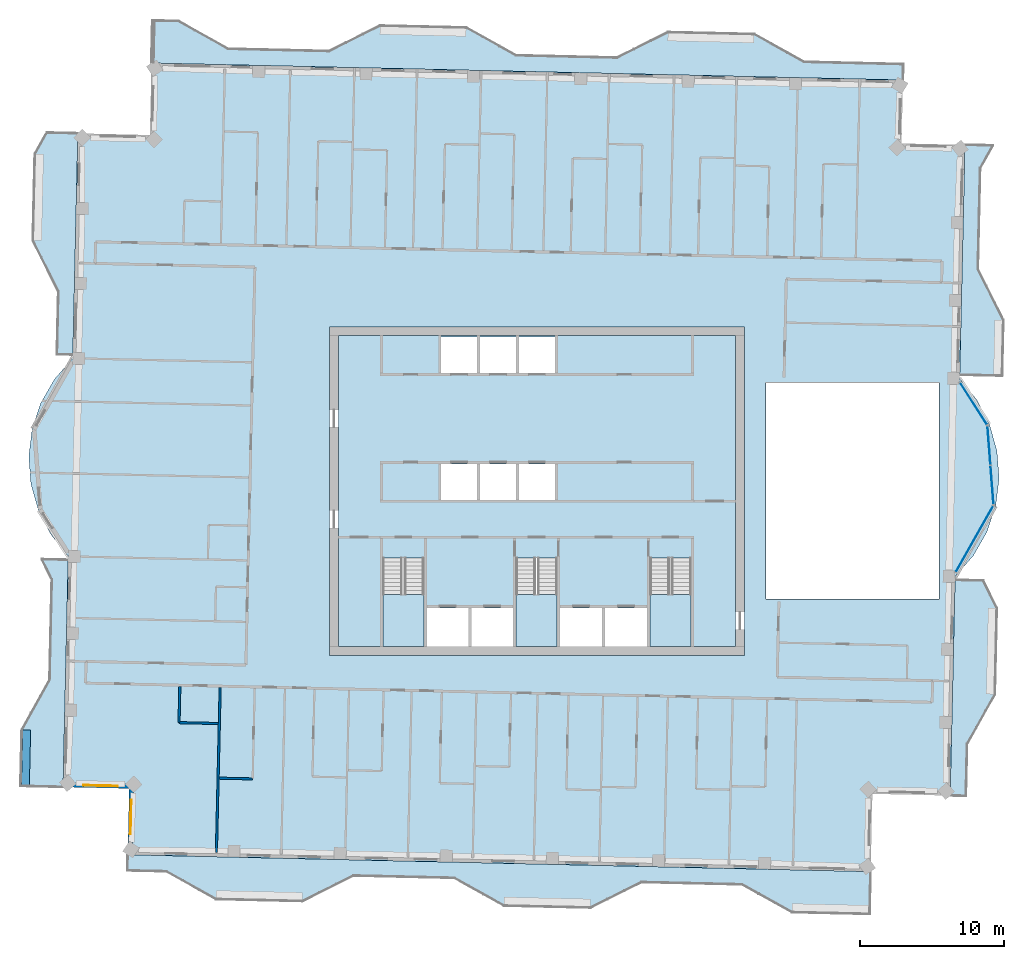
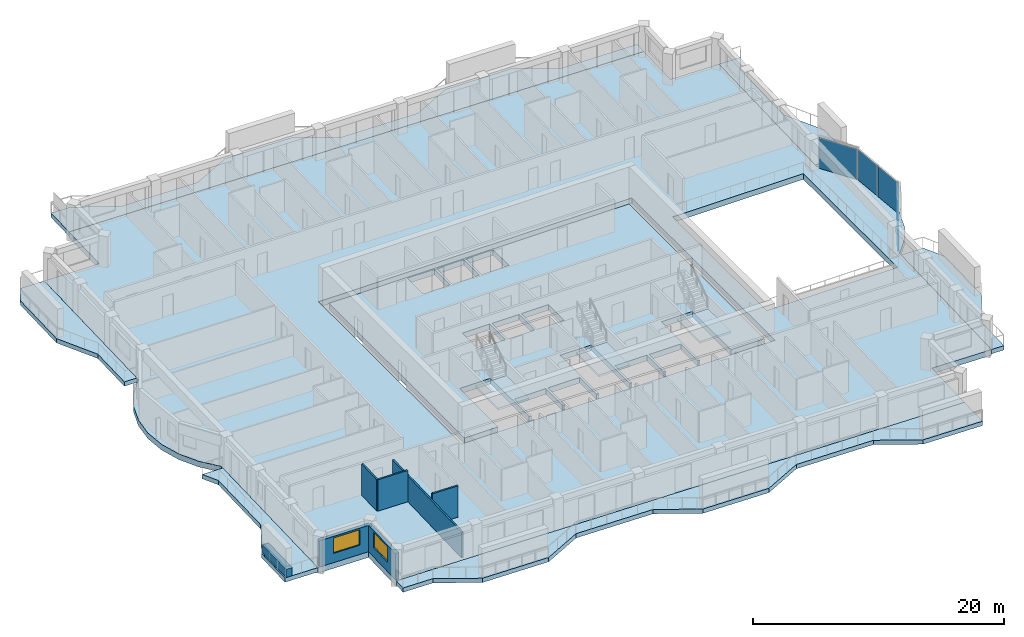
# One storey, part 3 of 15: 11 slabs, 7 walls, 4 plates, 2 windows, 2 openings, 6 elements without a shape of their own.
"""IFC4 building model written with IfcOpenShell, lengths in metres."""

from ifc_helpers import new_model, si_unit, direction, frame, frame_2d, origin, origin_2d, place, context, subcontext, project, spatial, polyline, rectangle, outline, extrude, material, layer, layer_set, type_object, element, fill, aggregate, save


model = new_model("IFC4")

# Units and contexts
model_context = context("Model", 3, precision=1e-05, world=origin(), true_north=direction((0.0, 1.0)))
body_context = subcontext(model_context, "Body", "Model", "MODEL_VIEW")
ifc_project = project(units=[si_unit("LENGTHUNIT", "METRE"), si_unit("AREAUNIT", "SQUARE_METRE"), si_unit("VOLUMEUNIT", "CUBIC_METRE"), si_unit("PLANEANGLEUNIT", "RADIAN"), si_unit("MASSUNIT", "GRAM", prefix="KILO")], contexts=[model_context])

# Site, building, storey
site_placement = place(None, origin())
site = spatial("IfcSite", under=ifc_project, at=site_placement, CompositionType="ELEMENT")
building_placement = place(site_placement, origin())
building = spatial("IfcBuilding", under=site, at=building_placement, Name="Mangrove Gate Tower", CompositionType="ELEMENT")
storey_placement = place(building_placement, frame((0.0, 0.0, 316.89990234375)))
storey = spatial("IfcBuildingStorey", under=building, at=storey_placement, Name="L81", CompositionType="ELEMENT", Elevation=316.89990234375)

# Curtain wall, plate
ifc_material_1 = material(Name="Aluminium and glass curtain wall", Category="aluminium")
curtain_wall_type = type_object("IfcCurtainWallType", Name="Atrium garden-court glazing wall", PredefinedType="NOTDEFINED", material=ifc_material_1)
curtain_wall_1_placement = place(storey_placement, origin())
curtain_wall_1 = element("IfcCurtainWall", 1, at=curtain_wall_1_placement, inside=storey, type_object=curtain_wall_type, Name="Atrium garden-court glazing E1f1", PredefinedType="NOTDEFINED")
ifc_material_2 = material(Name="Laminated low-e glass", Category="glass")
ifc_layer_1 = layer(ifc_material_2, 0.031982421875)
ifc_layer_set_1 = layer_set([ifc_layer_1], Name="Atrium garden-court glazing panel 32")
plate_type = type_object("IfcPlateType", Name="Atrium garden-court glazing panel 32", PredefinedType="CURTAIN_PANEL", material=ifc_layer_set_1)
plate_1_placement = place(storey_placement, frame((30.381103515625, -3.32861328125, 0.0), z_axis=(0.0, 0.0, 1.0), x_axis=(0.4925871539, 0.870263118725, 0.0)))
plate_1 = element("IfcPlate", 2, at=plate_1_placement, type_object=plate_type, Name="CWA panel 1.1", PredefinedType="CURTAIN_PANEL", context=body_context, shape_type="SweptSolid", body=[
    extrude(rectangle(XDim=5.258056640625, YDim=0.031982421875, at=origin_2d()), origin(), (0.0, 0.0, 1.0), 2.97998046875),
])
aggregate(curtain_wall_1, [plate_1])

# Curtain wall, plates
curtain_wall_2_placement = place(storey_placement, origin())
curtain_wall_2 = element("IfcCurtainWall", 3, at=curtain_wall_2_placement, inside=storey, type_object=curtain_wall_type, Name="Atrium garden-court glazing E1f2", PredefinedType="NOTDEFINED")
plate_2_placement = place(storey_placement, frame((31.601806640625, 0.427001953125, 0.0), z_axis=(0.0, 0.0, 1.0), x_axis=(-0.077023348212, 0.997029289354, 0.0)))
plate_2 = element("IfcPlate", 4, at=plate_2_placement, type_object=plate_type, Name="CWA panel 1.1", PredefinedType="CURTAIN_PANEL", context=body_context, shape_type="SweptSolid", body=[
    extrude(rectangle(XDim=2.681640625, YDim=0.031982421875, at=origin_2d()), origin(), (0.0, 0.0, 1.0), 2.97998046875),
])
plate_3_placement = place(storey_placement, frame((31.389892578125, 3.17041015625, 0.0), z_axis=(0.0, 0.0, 1.0), x_axis=(-0.077023348212, 0.997029289354, 0.0)))
plate_3 = element("IfcPlate", 5, at=plate_3_placement, type_object=plate_type, Name="CWA panel 2.1", PredefinedType="CURTAIN_PANEL", context=body_context, shape_type="SweptSolid", body=[
    extrude(rectangle(XDim=2.681640625, YDim=0.031982421875, at=origin_2d()), origin(), (0.0, 0.0, 1.0), 2.97998046875),
])
aggregate(curtain_wall_2, [plate_2, plate_3])

# Curtain wall, plate
curtain_wall_3_placement = place(storey_placement, origin())
curtain_wall_3 = element("IfcCurtainWall", 6, at=curtain_wall_3_placement, inside=storey, type_object=curtain_wall_type, Name="Atrium garden-court glazing E1f3", PredefinedType="NOTDEFINED")
plate_4_placement = place(storey_placement, frame((30.31689453125, 6.078369140625, 0.0), z_axis=(0.0, 0.0, 1.0), x_axis=(-0.540512472211, 0.841336001479, 0.0)))
plate_4 = element("IfcPlate", 7, at=plate_4_placement, type_object=plate_type, Name="CWA panel 1.1", PredefinedType="CURTAIN_PANEL", context=body_context, shape_type="SweptSolid", body=[
    extrude(rectangle(XDim=3.4287109375, YDim=0.031982421875, at=origin_2d()), origin(), (0.0, 0.0, 1.0), 2.97998046875),
])
aggregate(curtain_wall_3, [plate_4])

# Slabs
ifc_material_3 = material(Name="Porcelain tile")
ifc_layer_2 = layer(ifc_material_3, 0.02001953125, Name="Tile finish")
ifc_material_4 = material(Name="Cement sand screed")
ifc_layer_3 = layer(ifc_material_4, 0.0400390625, Name="Screed laid to falls")
ifc_material_5 = material(Name="Bituminous waterproofing membrane")
ifc_layer_4 = layer(ifc_material_5, 0.00390625, Name="Waterproofing")
ifc_material_6 = material(Name="Concrete C40/50", Category="concrete")
ifc_layer_5 = layer(ifc_material_6, 0.340087890625, Name="Balcony structural slab")
ifc_material_7 = material(Name="Limestone", Category="masonry")
ifc_layer_6 = layer(ifc_material_7, 0.01611328125, Name="Soffit lining")
ifc_layer_set_2 = layer_set([ifc_layer_2, ifc_layer_3, ifc_layer_4, ifc_layer_5, ifc_layer_6], Name="Balcony slab 420 C40/50")
slab_type_1 = type_object("IfcSlabType", Name="Balcony slab 420 C40/50", PredefinedType="FLOOR", material=ifc_layer_set_2)
slab_1_placement = place(storey_placement, frame((0.0, 0.0, -0.419921875)))
element("IfcSlab", 8, at=slab_1_placement, inside=storey, type_object=slab_type_1, Name="BALCONY L81 E0", PredefinedType="FLOOR", context=body_context, shape_type="SweptSolid", body=[
    extrude(outline(polyline([(29.830078125, -21.1689453125), (29.912109375, -17.570068359375), (31.841064453125, -14.113037109375), (31.97705078125, -8.114013671875), (31.029052734375, -6.218017578125), (29.030029296875, -6.172119140625), (28.988037109375, -8.0458984375), (28.85205078125, -14.044921875), (28.77197265625, -17.5439453125), (28.69091796875, -21.14306640625), (29.830078125, -21.1689453125)])), origin(), (0.0, 0.0, 1.0), 0.419921875),
])
slab_2_placement = place(storey_placement, frame((0.0, 0.0, -0.419921875)))
element("IfcSlab", 9, at=slab_2_placement, inside=storey, type_object=slab_type_1, Name="BALCONY L81 E1", PredefinedType="FLOOR", context=body_context, shape_type="SweptSolid", body=[
    extrude(outline(polyline([(32.343017578125, 8.007080078125), (32.430908203125, 11.881103515625), (30.660888671875, 15.422119140625), (30.820068359375, 22.419921875), (31.700927734375, 24.0), (29.716064453125, 24.044921875), (29.679931640625, 22.446044921875), (29.52099609375, 15.447021484375), (29.44189453125, 11.947998046875), (29.35400390625, 8.074951171875), (32.343017578125, 8.007080078125)])), origin(), (0.0, 0.0, 1.0), 0.419921875),
])
slab_3_placement = place(storey_placement, frame((0.0, 0.0, -0.419921875)))
element("IfcSlab", 10, at=slab_3_placement, inside=storey, type_object=slab_type_1, Name="BALCONY L81 N0", PredefinedType="FLOOR", context=body_context, shape_type="SweptSolid", body=[
    extrude(outline(polyline([(25.443115234375, 29.68408203125), (18.544921875, 29.840087890625), (15.087890625, 31.76904296875), (9.089111328125, 31.905029296875), (5.548095703125, 30.135009765625), (-1.449951171875, 30.2939453125), (-4.906982421875, 32.222900390625), (-10.906005859375, 32.35888671875), (-14.447021484375, 30.590087890625), (-21.445068359375, 30.748046875), (-24.902099609375, 32.677001953125), (-26.701904296875, 32.717041015625), (-26.76904296875, 29.72802734375), (25.4169921875, 28.5439453125), (25.443115234375, 29.68408203125)])), origin(), (0.0, 0.0, 1.0), 0.419921875),
])
slab_4_placement = place(storey_placement, frame((0.0, 0.0, -0.419921875)))
element("IfcSlab", 11, at=slab_4_placement, inside=storey, type_object=slab_type_1, Name="BALCONY L81 W0", PredefinedType="FLOOR", context=body_context, shape_type="SweptSolid", body=[
    extrude(outline(polyline([(-34.077880859375, 24.89306640625), (-34.905029296875, 23.410888671875), (-35.041015625, 17.4130859375), (-33.27099609375, 13.8720703125), (-33.3701171875, 9.498046875), (-32.22998046875, 9.471923828125), (-32.131103515625, 13.845947265625), (-32.052001953125, 17.344970703125), (-31.916015625, 23.343017578125), (-31.882080078125, 24.843017578125), (-34.077880859375, 24.89306640625)])), origin(), (0.0, 0.0, 1.0), 0.419921875),
])
slab_5_placement = place(storey_placement, frame((0.0, 0.0, -0.419921875)))
element("IfcSlab", 12, at=slab_5_placement, inside=storey, type_object=slab_type_1, Name="BALCONY L81 W1", PredefinedType="FLOOR", context=body_context, shape_type="SweptSolid", body=[
    extrude(outline(polyline([(-34.419921875, -4.73193359375), (-33.72509765625, -6.123046875), (-33.883056640625, -13.12109375), (-35.81201171875, -16.5791015625), (-35.90087890625, -20.47802734375), (-32.912109375, -20.544921875), (-32.822998046875, -16.64599609375), (-32.743896484375, -13.14697265625), (-32.5849609375, -6.14892578125), (-32.553955078125, -4.77490234375), (-34.419921875, -4.73193359375)])), origin(), (0.0, 0.0, 1.0), 0.419921875),
])
slab_6_placement = place(storey_placement, frame((0.0, 0.0, -0.419921875)))
element("IfcSlab", 13, at=slab_6_placement, inside=storey, type_object=slab_type_1, Name="BALCONY L81 S0", PredefinedType="FLOOR", context=body_context, shape_type="SweptSolid", body=[
    extrude(outline(polyline([(-28.443115234375, -26.387939453125), (-25.743896484375, -26.448974609375), (-22.287109375, -28.3779296875), (-16.2880859375, -28.514892578125), (-12.7470703125, -26.743896484375), (-5.7490234375, -26.903076171875), (-2.2919921875, -28.83203125), (3.70703125, -28.968017578125), (7.248046875, -27.198974609375), (14.24609375, -27.35693359375), (17.702880859375, -29.285888671875), (23.10205078125, -29.407958984375), (23.169921875, -26.4189453125), (-28.4169921875, -25.2490234375), (-28.443115234375, -26.387939453125)])), origin(), (0.0, 0.0, 1.0), 0.419921875),
])
ifc_material_8 = material(Name="Concrete C40/50", Category="concrete")
ifc_layer_7 = layer(ifc_material_8, 0.550048828125)
ifc_layer_set_3 = layer_set([ifc_layer_7], Name="Core floor slab 550 C40/50")
slab_type_2 = type_object("IfcSlabType", Name="Core floor slab 550 C40/50", PredefinedType="FLOOR", material=ifc_layer_set_3)
slab_7_placement = place(storey_placement, frame((0.0, 0.0, -0.5498046875)))
element("IfcSlab", 14, at=slab_7_placement, inside=storey, type_object=slab_type_2, Name="SLAB-L81-CORE-1", PredefinedType="FLOOR", context=body_context, shape_type="SweptSolid", body=[
    extrude(outline(polyline([(-13.800048828125, -10.800048828125), (-13.800048828125, 10.800048828125), (13.800048828125, 10.800048828125), (13.800048828125, -10.800048828125), (10.699951171875, -10.800048828125), (10.699951171875, -4.653076171875), (7.85009765625, -4.653076171875), (7.85009765625, -10.800048828125), (7.64990234375, -10.800048828125), (7.64990234375, -8.10009765625), (4.72509765625, -8.10009765625), (4.72509765625, -10.800048828125), (4.52490234375, -10.800048828125), (4.52490234375, -8.10009765625), (1.60009765625, -8.10009765625), (1.60009765625, -10.800048828125), (1.39990234375, -10.800048828125), (1.39990234375, -4.653076171875), (-1.449951171875, -4.653076171875), (-1.449951171875, -10.800048828125), (-1.64990234375, -10.800048828125), (-1.64990234375, -8.10009765625), (-4.550048828125, -8.10009765625), (-4.550048828125, -10.800048828125), (-4.75, -10.800048828125), (-4.75, -8.10009765625), (-7.64990234375, -8.10009765625), (-7.64990234375, -10.800048828125), (-7.85009765625, -10.800048828125), (-7.85009765625, -4.653076171875), (-10.699951171875, -4.653076171875), (-10.699951171875, -10.800048828125), (-13.800048828125, -10.800048828125)]), holes=[polyline([(-4.14990234375, 1.89990234375), (-6.64990234375, 1.89990234375), (-6.64990234375, -0.60009765625), (-4.14990234375, -0.60009765625), (-4.14990234375, 1.89990234375)]), polyline([(-1.449951171875, -0.60009765625), (-1.449951171875, 1.89990234375), (-3.949951171875, 1.89990234375), (-3.949951171875, -0.60009765625), (-1.449951171875, -0.60009765625)]), polyline([(-4.14990234375, 8.199951171875), (-4.14990234375, 10.699951171875), (-6.64990234375, 10.699951171875), (-6.64990234375, 8.199951171875), (-4.14990234375, 8.199951171875)]), polyline([(-1.449951171875, 10.699951171875), (-3.949951171875, 10.699951171875), (-3.949951171875, 8.199951171875), (-1.449951171875, 8.199951171875), (-1.449951171875, 10.699951171875)]), polyline([(1.25, -0.60009765625), (1.25, 1.89990234375), (-1.25, 1.89990234375), (-1.25, -0.60009765625), (1.25, -0.60009765625)]), polyline([(1.25, 8.199951171875), (1.25, 10.699951171875), (-1.25, 10.699951171875), (-1.25, 8.199951171875), (1.25, 8.199951171875)])]), origin(), (0.0, 0.0, 1.0), 0.5498046875),
])

# Stair, slab
ifc_material_9 = material(Name="Concrete C40/50", Category="concrete")
stair_type = type_object("IfcStairType", Name="Core stair 1350", PredefinedType="HALF_TURN_STAIR", material=ifc_material_9)
stair_1_placement = place(storey_placement, origin())
stair_1 = element("IfcStair", 15, at=stair_1_placement, inside=storey, type_object=stair_type, Name="L81 Stair 1", PredefinedType="HALF_TURN_STAIR")
ifc_material_10 = material(Name="Concrete C40/50", Category="concrete")
ifc_layer_8 = layer(ifc_material_10, 0.199951171875)
ifc_layer_set_4 = layer_set([ifc_layer_8], Name="Core stair landing 200")
slab_type_3 = type_object("IfcSlabType", Name="Core stair landing 200", PredefinedType="LANDING", material=ifc_layer_set_4)
slab_8_placement = place(storey_placement, frame((0.0, 0.0, 1.60009765625)))
slab_8 = element("IfcSlab", 16, at=slab_8_placement, type_object=slab_type_3, Name="ST1 landing 1", PredefinedType="LANDING", context=body_context, shape_type="SweptSolid", body=[
    extrude(outline(polyline([(-10.699951171875, -7.169921875), (-10.699951171875, -10.800048828125), (-7.85009765625, -10.800048828125), (-7.85009765625, -7.169921875), (-10.699951171875, -7.169921875)])), origin(), (0.0, 0.0, 1.0), 0.199951171875),
])
aggregate(stair_1, [slab_8])

stair_2_placement = place(storey_placement, origin())
stair_2 = element("IfcStair", 17, at=stair_2_placement, inside=storey, type_object=stair_type, Name="L81 Stair 2", PredefinedType="HALF_TURN_STAIR")
slab_9_placement = place(storey_placement, frame((0.0, 0.0, 1.60009765625)))
slab_9 = element("IfcSlab", 18, at=slab_9_placement, type_object=slab_type_3, Name="ST2 landing 1", PredefinedType="LANDING", context=body_context, shape_type="SweptSolid", body=[
    extrude(outline(polyline([(-1.449951171875, -7.169921875), (-1.449951171875, -10.800048828125), (1.39990234375, -10.800048828125), (1.39990234375, -7.169921875), (-1.449951171875, -7.169921875)])), origin(), (0.0, 0.0, 1.0), 0.199951171875),
])
aggregate(stair_2, [slab_9])

stair_3_placement = place(storey_placement, origin())
stair_3 = element("IfcStair", 19, at=stair_3_placement, inside=storey, type_object=stair_type, Name="L81 Stair 3", PredefinedType="HALF_TURN_STAIR")
slab_10_placement = place(storey_placement, frame((0.0, 0.0, 1.60009765625)))
slab_10 = element("IfcSlab", 20, at=slab_10_placement, type_object=slab_type_3, Name="ST3 landing 1", PredefinedType="LANDING", context=body_context, shape_type="SweptSolid", body=[
    extrude(outline(polyline([(7.85009765625, -7.169921875), (7.85009765625, -10.800048828125), (10.699951171875, -10.800048828125), (10.699951171875, -7.169921875), (7.85009765625, -7.169921875)])), origin(), (0.0, 0.0, 1.0), 0.199951171875),
])
aggregate(stair_3, [slab_10])

# Slab
ifc_material_11 = material(Name="Concrete C40/50", Category="concrete")
ifc_layer_9 = layer(ifc_material_11, 0.550048828125)
ifc_layer_set_5 = layer_set([ifc_layer_9], Name="Floor slab 550 C40/50")
slab_type_4 = type_object("IfcSlabType", Name="Floor slab 550 C40/50", PredefinedType="FLOOR", material=ifc_layer_set_5)
slab_11_placement = place(storey_placement, frame((0.0, 0.0, -0.5498046875)))
element("IfcSlab", 21, at=slab_11_placement, inside=storey, type_object=slab_type_4, Name="Floor slab L81", PredefinedType="FLOOR", context=body_context, shape_type="SweptSolid", body=[
    extrude(outline(polyline([(-28.417236328125, -25.24853515625), (23.169677734375, -26.419189453125), (23.2919921875, -21.0205078125), (28.690673828125, -21.14306640625), (29.0361328125, -5.92236328125), (30.299072265625, -4.48583984375), (31.252197265625, -2.827392578125), (31.857666015625, -1.012939453125), (32.09130859375, 0.885498046875), (31.944091796875, 2.79248046875), (31.42138671875, 4.632568359375), (30.544677734375, 6.33251953125), (29.34814453125, 7.82470703125), (29.716064453125, 24.045166015625), (25.3173828125, 24.14501953125), (25.4169921875, 28.5439453125), (-26.76953125, 29.728271484375), (-26.8828125, 24.7294921875), (-31.881591796875, 24.843017578125), (-32.236083984375, 9.222412109375), (-33.4990234375, 7.785888671875), (-34.4521484375, 6.12744140625), (-35.0576171875, 4.31298828125), (-35.291259765625, 2.41455078125), (-35.14404296875, 0.507568359375), (-34.62158203125, -1.33251953125), (-33.74462890625, -3.032470703125), (-32.548095703125, -4.524658203125), (-32.91162109375, -20.54541015625), (-28.312744140625, -20.649658203125), (-28.417236328125, -25.24853515625)]), holes=[polyline([(15.89990234375, 7.5), (27.922119140625, 7.5), (27.922119140625, -7.5), (15.89990234375, -7.5), (15.89990234375, 7.5)]), polyline([(-14.39990234375, -11.39990234375), (-14.39990234375, 11.39990234375), (14.39990234375, 11.39990234375), (14.39990234375, -11.39990234375), (-14.39990234375, -11.39990234375)])]), origin(), (0.0, 0.0, 1.0), 0.5498046875),
])

# Wall, opening, window
ifc_layer_10 = layer(ifc_material_7, 0.0400390625, Name="Limestone cladding")
ifc_material_12 = material(Name="Ventilated air gap")
ifc_layer_11 = layer(ifc_material_12, 0.0400390625, Name="Ventilated cavity")
ifc_material_13 = material(Name="Mineral wool insulation")
ifc_layer_12 = layer(ifc_material_13, 0.06005859375, Name="Insulation")
ifc_material_14 = material(Name="Breather membrane")
ifc_layer_13 = layer(ifc_material_14, 0.001953125, Name="Breather membrane")
ifc_material_15 = material(Name="Concrete C20/25 blockwork", Category="masonry")
ifc_layer_14 = layer(ifc_material_15, 0.14990234375, Name="Blockwork backing wall")
ifc_material_16 = material(Name="Gypsum plaster")
ifc_layer_15 = layer(ifc_material_16, 0.008056640625, Name="Internal plaster")
ifc_layer_set_6 = layer_set([ifc_layer_10, ifc_layer_11, ifc_layer_12, ifc_layer_13, ifc_layer_14, ifc_layer_15], Name="External wall 300 limestone cladding")
wall_type_1 = type_object("IfcWallType", Name="External wall 300 limestone cladding", PredefinedType="SOLIDWALL", material=ifc_layer_set_6)
wall_1_placement = place(storey_placement, frame((-32.758056640625, -20.39892578125, 0.0), z_axis=(0.0, 0.0, 1.0), x_axis=(0.999744404568, -0.02260808559, 0.0)))
wall_1 = element("IfcWall", 22, at=wall_1_placement, inside=storey, type_object=wall_type_1, Name="WALL-L81-S11", PredefinedType="SOLIDWALL", context=body_context, shape_type="SweptSolid", body=[
    extrude(rectangle(XDim=4.600341796875, YDim=0.300048828125, at=frame_2d((2.30029296875, 0.0))), origin(), (0.0, 0.0, 1.0), 2.550048828125),
])
opening_1_placement = place(wall_1_placement, frame((1.260009765625, 0.0, 0.89990234375)))
opening_1 = element("IfcOpeningElement", 23, at=opening_1_placement, cuts=wall_1, Name="Opening W2", PredefinedType="OPENING", context=body_context, shape_type="SweptSolid", body=[
    extrude(rectangle(XDim=2.39990234375, YDim=1.5, at=frame_2d((1.199951171875, 0.75))), frame((0.0, 0.159912109375, 0.0), z_axis=(0.0, -1.0, 0.0), x_axis=(1.0, 0.0, 0.0)), (0.0, 0.0, 1.0), 0.320068359375),
])
ifc_material_17 = material(Name="Aluminium frame with double-glazed low-e glass", Category="aluminium")
window_type = type_object("IfcWindowType", Name="Corner room window 2400x1500", PartitioningType="DOUBLE_PANEL_VERTICAL", PredefinedType="WINDOW", material=ifc_material_17)
window_1_placement = place(opening_1_placement, origin())
window_1 = element("IfcWindow", 24, at=window_1_placement, inside=storey, type_object=window_type, Name="WIN-L81-S11-1", OverallHeight=1.5, OverallWidth=2.39990234375, PartitioningType="DOUBLE_PANEL_VERTICAL", PredefinedType="WINDOW", context=body_context, shape_type="SweptSolid", body=[
    extrude(rectangle(XDim=2.39990234375, YDim=1.5, at=frame_2d((1.199951171875, 0.75))), frame((0.0, 0.030029296875, 0.0), z_axis=(0.0, -1.0, 0.0), x_axis=(1.0, 0.0, 0.0)), (0.0, 0.0, 1.0), 0.06005859375),
])
fill(opening_1, window_1)

wall_2_placement = place(storey_placement, frame((-28.158935546875, -20.5029296875, 0.0), z_axis=(0.0, 0.0, 1.0), x_axis=(-0.022820258049, -0.999739584003, 0.0)))
wall_2 = element("IfcWall", 25, at=wall_2_placement, inside=storey, type_object=wall_type_1, Name="WALL-L81-W12", PredefinedType="SOLIDWALL", context=body_context, shape_type="SweptSolid", body=[
    extrude(rectangle(XDim=4.600341796875, YDim=0.300048828125, at=frame_2d((2.30029296875, 0.0))), origin(), (0.0, 0.0, 1.0), 2.550048828125),
])
opening_2_placement = place(wall_2_placement, frame((0.927978515625, 0.0, 0.89990234375)))
opening_2 = element("IfcOpeningElement", 26, at=opening_2_placement, cuts=wall_2, Name="Opening W2", PredefinedType="OPENING", context=body_context, shape_type="SweptSolid", body=[
    extrude(rectangle(XDim=2.39990234375, YDim=1.5, at=frame_2d((1.199951171875, 0.75))), frame((0.0, 0.159912109375, 0.0), z_axis=(0.0, -1.0, 0.0), x_axis=(1.0, 0.0, 0.0)), (0.0, 0.0, 1.0), 0.320068359375),
])
window_2_placement = place(opening_2_placement, origin())
window_2 = element("IfcWindow", 27, at=window_2_placement, inside=storey, type_object=window_type, Name="WIN-L81-W12-1", OverallHeight=1.5, OverallWidth=2.39990234375, PartitioningType="DOUBLE_PANEL_VERTICAL", PredefinedType="WINDOW", context=body_context, shape_type="SweptSolid", body=[
    extrude(rectangle(XDim=2.39990234375, YDim=1.5, at=frame_2d((1.199951171875, 0.75))), frame((0.0, 0.030029296875, 0.0), z_axis=(0.0, -1.0, 0.0), x_axis=(1.0, 0.0, 0.0)), (0.0, 0.0, 1.0), 0.06005859375),
])
fill(opening_2, window_2)

# Walls
ifc_material_18 = material(Name="Gypsum board on steel stud, EI 60", Category="steel")
ifc_layer_16 = layer(ifc_material_18, 0.14990234375)
ifc_layer_set_7 = layer_set([ifc_layer_16], Name="Party wall 150 EI 60")
wall_type_2 = type_object("IfcWallType", Name="Party wall 150 EI 60", PredefinedType="PARTITIONING", material=ifc_layer_set_7)
wall_3_placement = place(storey_placement, frame((-22.261962890625, -25.087890625, 0.0), z_axis=(0.0, 0.0, 1.0), x_axis=(0.022708812003, 0.999742121678, 0.0)))
element("IfcWall", 28, at=wall_3_placement, inside=storey, type_object=wall_type_2, Name="WALL-L81-001", PredefinedType="PARTITIONING", context=body_context, shape_type="SweptSolid", body=[
    extrude(rectangle(XDim=11.44970703125, YDim=0.14990234375, at=frame_2d((5.724853515625, 0.0))), origin(), (0.0, 0.0, 1.0), 2.5),
])
wall_4_placement = place(storey_placement, frame((-22.070068359375, -19.930908203125, 0.0), z_axis=(0.0, 0.0, 1.0), x_axis=(0.999740478815, -0.022781023197, 0.0)))
element("IfcWall", 29, at=wall_4_placement, inside=storey, type_object=wall_type_2, Name="WALL-L81-013", PredefinedType="PARTITIONING", context=body_context, shape_type="SweptSolid", body=[
    extrude(rectangle(XDim=2.325439453125, YDim=0.14990234375, at=frame_2d((1.16259765625, 0.0))), origin(), (0.0, 0.0, 1.0), 3.050048828125),
])
wall_5_placement = place(storey_placement, frame((-24.85791015625, -16.076904296875, 0.0), z_axis=(0.0, 0.0, 1.0), x_axis=(0.999740955847, -0.022760079124, 0.0)))
element("IfcWall", 30, at=wall_5_placement, inside=storey, type_object=wall_type_2, Name="WALL-L81-029", PredefinedType="PARTITIONING", context=body_context, shape_type="SweptSolid", body=[
    extrude(rectangle(XDim=2.724609375, YDim=0.14990234375, at=frame_2d((1.3623046875, 0.0))), origin(), (0.0, 0.0, 1.0), 3.050048828125),
])
wall_6_placement = place(storey_placement, frame((-24.85791015625, -16.076904296875, 0.0), z_axis=(0.0, 0.0, 1.0), x_axis=(0.022756903044, 0.999741028149, 0.0)))
element("IfcWall", 31, at=wall_6_placement, inside=storey, type_object=wall_type_2, Name="WALL-L81-030", PredefinedType="PARTITIONING", context=body_context, shape_type="SweptSolid", body=[
    extrude(rectangle(XDim=2.499755859375, YDim=0.14990234375, at=frame_2d((1.25, 0.0))), origin(), (0.0, 0.0, 1.0), 3.050048828125),
])
ifc_material_19 = material(Name="Concrete C32/40", Category="concrete")
ifc_layer_17 = layer(ifc_material_19, 0.199951171875, Name="Planter trough wall")
ifc_layer_18 = layer(ifc_material_5, 0.0048828125, Name="Waterproofing")
ifc_material_20 = material(Name="Drainage board and gravel")
ifc_layer_19 = layer(ifc_material_20, 0.044921875, Name="Drainage layer")
ifc_material_21 = material(Name="Planting soil")
ifc_layer_20 = layer(ifc_material_21, 0.300048828125, Name="Growing medium")
ifc_layer_set_8 = layer_set([ifc_layer_17, ifc_layer_18, ifc_layer_19, ifc_layer_20], Name="Planter wall 550 C32/40")
wall_type_3 = type_object("IfcWallType", Name="Planter wall 550 C32/40", PredefinedType="USERDEFINED", material=ifc_layer_set_8)
wall_7_placement = place(storey_placement, frame((-35.52587890625, -20.486083984375, 0.0), z_axis=(0.0, 0.0, 1.0), x_axis=(0.022785392151, 0.999740379251, 0.0)))
element("IfcWall", 32, at=wall_7_placement, inside=storey, type_object=wall_type_3, Name="PLANTER L81 W1.1", ObjectType="PLANTER", PredefinedType="USERDEFINED", context=body_context, shape_type="SweptSolid", body=[
    extrude(rectangle(XDim=3.900146484375, YDim=0.550048828125, at=frame_2d((1.9501953125, 0.0))), origin(), (0.0, 0.0, 1.0), 0.800048828125),
])

save(model, "model.ifc")
